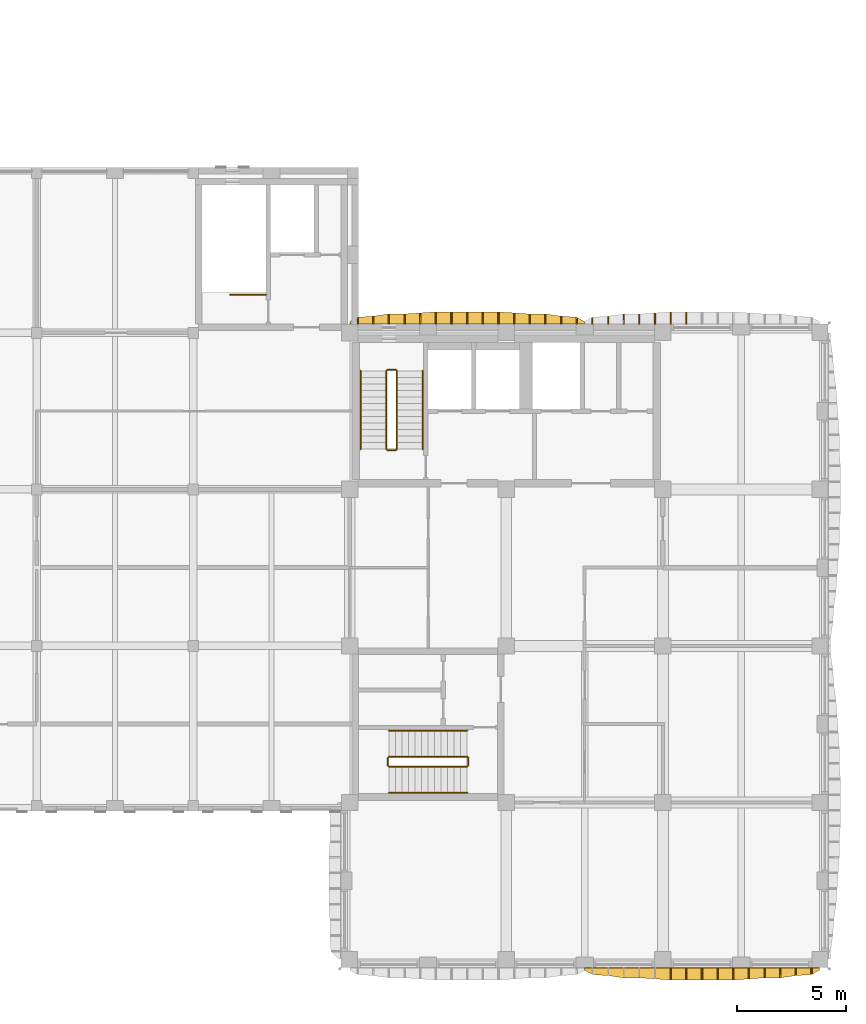
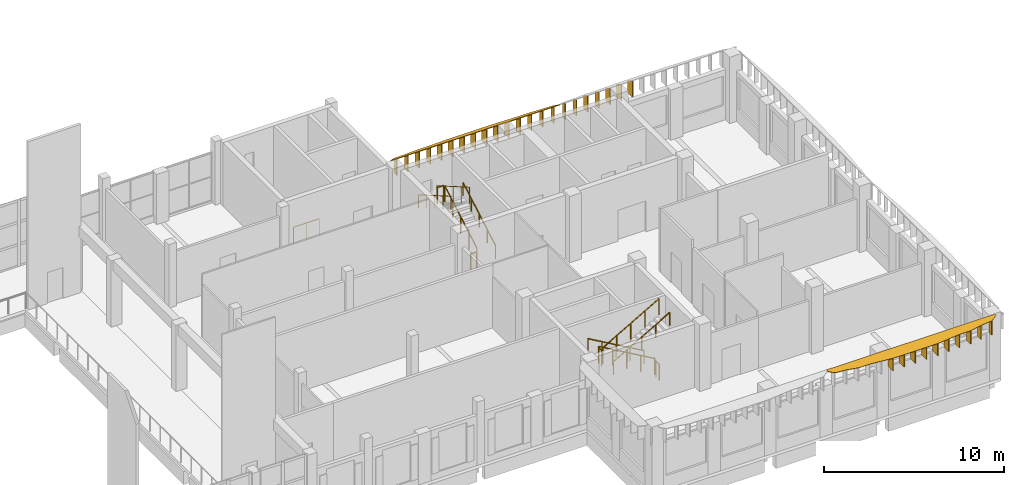
# One storey, part 33 of 54: 34 shading devices, 13 railings.
"""IFC4 building model written with IfcOpenShell, lengths in metres."""

from ifc_helpers import new_model, si_unit, direction, frame, origin, origin_2d, place, context, subcontext, project, spatial, polyline, circle, outline, extrude, material, layer, layer_set, type_object, element, save


model = new_model("IFC4")

# Units and contexts
model_context = context("Model", 3, precision=1e-05, world=origin(), true_north=direction((0.0, 1.0)))
body_context = subcontext(model_context, "Body", "Model", "MODEL_VIEW")
ifc_project = project(units=[si_unit("LENGTHUNIT", "METRE"), si_unit("AREAUNIT", "SQUARE_METRE"), si_unit("VOLUMEUNIT", "CUBIC_METRE"), si_unit("PLANEANGLEUNIT", "RADIAN"), si_unit("MASSUNIT", "GRAM", prefix="KILO")], contexts=[model_context])

# Site, building, storey
site_placement = place(None, origin())
site = spatial("IfcSite", under=ifc_project, at=site_placement, CompositionType="ELEMENT")
building_placement = place(site_placement, origin())
building = spatial("IfcBuilding", under=site, at=building_placement, Name="Ussher Court Research Institute", CompositionType="ELEMENT")
storey_placement = place(building_placement, frame((0.0, 0.0, 14.39990234375)))
storey = spatial("IfcBuildingStorey", under=building, at=storey_placement, Name="L03", CompositionType="ELEMENT", Elevation=14.39990234375)

# Shading devices
ifc_material_1 = material(Name="Bronze anodised aluminium", Category="aluminium")
ifc_layer_1 = layer(ifc_material_1, 0.050048828125)
ifc_layer_set_1 = layer_set([ifc_layer_1], Name="Bronze anodised aluminium")
shading_device_type_1 = type_object("IfcShadingDeviceType", Name="Brim blade 300 mm deep 1100 mm high canted 26 deg wet", PredefinedType="USERDEFINED", material=ifc_layer_set_1)
for number, where, z_axis, x_axis, name in (
    (1, (82.56005859375, 33.199951171875, 3.35009765625), (0.0, 0.0, 1.0), (0.0, 1.0, 0.0), "Brim blade BS06 L03"),
    (2, (92.639892578125, 33.199951171875, 3.35009765625), (0.0, 0.0, 1.0), (0.0, 1.0, 0.0), "Brim blade BS06 L03"),
    (3, (93.360107421875, 33.199951171875, 3.35009765625), (0.0, 0.0, 1.0), (0.0, 1.0, 0.0), "Brim blade BS06 L03"),
    (4, (103.43994140625, 3.60009765625, 3.35009765625), (0.0, 0.0, 1.0), (0.0, -1.0, 0.0), "Brim blade BS06 L03"),
):
    element("IfcShadingDevice", number, at=place(storey_placement, frame(where, z_axis=z_axis, x_axis=x_axis)), inside=storey, type_object=shading_device_type_1, Name=name, ObjectType="BLADE", PredefinedType="USERDEFINED", context=body_context, shape_type="SweptSolid", body=[
        extrude(outline(polyline([(0.0, 0.0), (0.300048828125, 0.0), (0.300048828125, 0.95361328125), (0.0, 1.10009765625), (0.0, 0.0)])), frame((0.0, 0.02490234375, 0.0), z_axis=(0.0, -1.0, 0.0), x_axis=(1.0, 0.0, 0.0)), (0.0, 0.0, 1.0), 0.050048828125),
    ])
ifc_material_2 = material(Name="Bronze anodised aluminium", Category="aluminium")
ifc_layer_2 = layer(ifc_material_2, 0.050048828125)
ifc_layer_set_2 = layer_set([ifc_layer_2], Name="Bronze anodised aluminium")
shading_device_type_2 = type_object("IfcShadingDeviceType", Name="Brim blade 350 mm deep 1100 mm high canted 26 deg wet", PredefinedType="USERDEFINED", material=ifc_layer_set_2)
for number, where, z_axis, x_axis, name in (
    (5, (83.280029296875, 33.199951171875, 3.35009765625), (0.0, 0.0, 1.0), (0.0, 1.0, 0.0), "Brim blade BS05 L03"),
    (6, (91.919921875, 33.199951171875, 3.35009765625), (0.0, 0.0, 1.0), (0.0, 1.0, 0.0), "Brim blade BS05 L03"),
    (7, (94.080078125, 33.199951171875, 3.35009765625), (0.0, 0.0, 1.0), (0.0, 1.0, 0.0), "Brim blade BS05 L03"),
    (8, (102.719970703125, 3.60009765625, 3.35009765625), (0.0, 0.0, 1.0), (0.0, -1.0, 0.0), "Brim blade BS05 L03"),
):
    element("IfcShadingDevice", number, at=place(storey_placement, frame(where, z_axis=z_axis, x_axis=x_axis)), inside=storey, type_object=shading_device_type_2, Name=name, ObjectType="BLADE", PredefinedType="USERDEFINED", context=body_context, shape_type="SweptSolid", body=[
        extrude(outline(polyline([(0.0, 0.0), (0.35009765625, 0.0), (0.35009765625, 0.92919921875), (0.0, 1.10009765625), (0.0, 0.0)])), frame((0.0, 0.02490234375, 0.0), z_axis=(0.0, -1.0, 0.0), x_axis=(1.0, 0.0, 0.0)), (0.0, 0.0, 1.0), 0.050048828125),
    ])
ifc_material_3 = material(Name="Bronze anodised aluminium", Category="aluminium")
ifc_layer_3 = layer(ifc_material_3, 0.050048828125)
ifc_layer_set_3 = layer_set([ifc_layer_3], Name="Bronze anodised aluminium")
shading_device_type_3 = type_object("IfcShadingDeviceType", Name="Brim blade 450 mm deep 1100 mm high canted 26 deg wet", PredefinedType="USERDEFINED", material=ifc_layer_set_3)
for number, where, z_axis, x_axis, name in (
    (9, (84.0, 33.199951171875, 3.35009765625), (0.0, 0.0, 1.0), (0.0, 1.0, 0.0), "Brim blade BS03 L03"),
    (10, (84.719970703125, 33.199951171875, 3.35009765625), (0.0, 0.0, 1.0), (0.0, 1.0, 0.0), "Brim blade BS03 L03"),
    (11, (90.47998046875, 33.199951171875, 3.35009765625), (0.0, 0.0, 1.0), (0.0, 1.0, 0.0), "Brim blade BS03 L03"),
    (12, (91.199951171875, 33.199951171875, 3.35009765625), (0.0, 0.0, 1.0), (0.0, 1.0, 0.0), "Brim blade BS03 L03"),
    (13, (94.800048828125, 33.199951171875, 3.35009765625), (0.0, 0.0, 1.0), (0.0, 1.0, 0.0), "Brim blade BS03 L03"),
    (14, (95.52001953125, 33.199951171875, 3.35009765625), (0.0, 0.0, 1.0), (0.0, 1.0, 0.0), "Brim blade BS03 L03"),
):
    element("IfcShadingDevice", number, at=place(storey_placement, frame(where, z_axis=z_axis, x_axis=x_axis)), inside=storey, type_object=shading_device_type_3, Name=name, ObjectType="BLADE", PredefinedType="USERDEFINED", context=body_context, shape_type="SweptSolid", body=[
        extrude(outline(polyline([(0.0, 0.0), (0.449951171875, 0.0), (0.449951171875, 0.880615234375), (0.0, 1.10009765625), (0.0, 0.0)])), frame((0.0, 0.02490234375, 0.0), z_axis=(0.0, -1.0, 0.0), x_axis=(1.0, 0.0, 0.0)), (0.0, 0.0, 1.0), 0.050048828125),
    ])
for number, where, z_axis, x_axis, name in (
    (15, (102.0, 3.60009765625, 3.35009765625), (0.0, 0.0, 1.0), (0.0, -1.0, 0.0), "Brim blade BS03 L03"),
    (16, (101.280029296875, 3.60009765625, 3.35009765625), (0.0, 0.0, 1.0), (0.0, -1.0, 0.0), "Brim blade BS03 L03"),
):
    element("IfcShadingDevice", number, at=place(storey_placement, frame(where, z_axis=z_axis, x_axis=x_axis)), inside=storey, type_object=shading_device_type_3, Name=name, ObjectType="BLADE", PredefinedType="USERDEFINED", context=body_context, shape_type="SweptSolid", body=[
        extrude(outline(polyline([(0.0, 0.0), (0.4501953125, 0.0), (0.449951171875, 0.880615234375), (0.0, 1.10009765625), (0.0, 0.0)])), frame((0.0, 0.02490234375, 0.0), z_axis=(0.0, -1.0, 0.0), x_axis=(1.0, 0.0, 0.0)), (0.0, 0.0, 1.0), 0.050048828125),
    ])
ifc_material_4 = material(Name="Bronze anodised aluminium", Category="aluminium")
ifc_layer_4 = layer(ifc_material_4, 0.050048828125)
ifc_layer_set_4 = layer_set([ifc_layer_4], Name="Bronze anodised aluminium")
shading_device_type_4 = type_object("IfcShadingDeviceType", Name="Brim blade 500 mm deep 1100 mm high canted 26 deg wet", PredefinedType="USERDEFINED", material=ifc_layer_set_4)
for number, where, z_axis, x_axis, name in (
    (17, (85.43994140625, 33.199951171875, 3.35009765625), (0.0, 0.0, 1.0), (0.0, 1.0, 0.0), "Brim blade BS02 L03"),
    (18, (89.760009765625, 33.199951171875, 3.35009765625), (0.0, 0.0, 1.0), (0.0, 1.0, 0.0), "Brim blade BS02 L03"),
    (19, (96.239990234375, 33.199951171875, 3.35009765625), (0.0, 0.0, 1.0), (0.0, 1.0, 0.0), "Brim blade BS02 L03"),
    (20, (100.56005859375, 3.60009765625, 3.35009765625), (0.0, 0.0, 1.0), (0.0, -1.0, 0.0), "Brim blade BS02 L03"),
):
    element("IfcShadingDevice", number, at=place(storey_placement, frame(where, z_axis=z_axis, x_axis=x_axis)), inside=storey, type_object=shading_device_type_4, Name=name, ObjectType="BLADE", PredefinedType="USERDEFINED", context=body_context, shape_type="SweptSolid", body=[
        extrude(outline(polyline([(0.0, 0.0), (0.5, 0.0), (0.5, 0.856201171875), (0.0, 1.10009765625), (0.0, 0.0)])), frame((0.0, 0.02490234375, 0.0), z_axis=(0.0, -1.0, 0.0), x_axis=(1.0, 0.0, 0.0)), (0.0, 0.0, 1.0), 0.050048828125),
    ])
ifc_material_5 = material(Name="Bronze anodised aluminium", Category="aluminium")
ifc_layer_5 = layer(ifc_material_5, 0.050048828125)
ifc_layer_set_5 = layer_set([ifc_layer_5], Name="Bronze anodised aluminium")
shading_device_type_5 = type_object("IfcShadingDeviceType", Name="Brim blade 550 mm deep 1100 mm high canted 26 deg wet", PredefinedType="USERDEFINED", material=ifc_layer_set_5)
for number, where, z_axis, x_axis, name in (
    (21, (86.159912109375, 33.199951171875, 3.35009765625), (0.0, 0.0, 1.0), (0.0, 1.0, 0.0), "Brim blade BS01 L03"),
    (22, (86.8798828125, 33.199951171875, 3.35009765625), (0.0, 0.0, 1.0), (0.0, 1.0, 0.0), "Brim blade BS01 L03"),
    (23, (87.60009765625, 33.199951171875, 3.35009765625), (0.0, 0.0, 1.0), (0.0, 1.0, 0.0), "Brim blade BS01 L03"),
    (24, (88.320068359375, 33.199951171875, 3.35009765625), (0.0, 0.0, 1.0), (0.0, 1.0, 0.0), "Brim blade BS01 L03"),
    (25, (89.0400390625, 33.199951171875, 3.35009765625), (0.0, 0.0, 1.0), (0.0, 1.0, 0.0), "Brim blade BS01 L03"),
    (26, (96.9599609375, 33.199951171875, 3.35009765625), (0.0, 0.0, 1.0), (0.0, 1.0, 0.0), "Brim blade BS01 L03"),
    (27, (97.679931640625, 33.199951171875, 3.35009765625), (0.0, 0.0, 1.0), (0.0, 1.0, 0.0), "Brim blade BS01 L03"),
    (28, (99.840087890625, 3.60009765625, 3.35009765625), (0.0, 0.0, 1.0), (0.0, -1.0, 0.0), "Brim blade BS01 L03"),
    (29, (99.1201171875, 3.60009765625, 3.35009765625), (0.0, 0.0, 1.0), (0.0, -1.0, 0.0), "Brim blade BS01 L03"),
    (30, (98.39990234375, 3.60009765625, 3.35009765625), (0.0, 0.0, 1.0), (0.0, -1.0, 0.0), "Brim blade BS01 L03"),
    (31, (97.679931640625, 3.60009765625, 3.35009765625), (0.0, 0.0, 1.0), (0.0, -1.0, 0.0), "Brim blade BS01 L03"),
    (32, (96.9599609375, 3.60009765625, 3.35009765625), (0.0, 0.0, 1.0), (0.0, -1.0, 0.0), "Brim blade BS01 L03"),
):
    element("IfcShadingDevice", number, at=place(storey_placement, frame(where, z_axis=z_axis, x_axis=x_axis)), inside=storey, type_object=shading_device_type_5, Name=name, ObjectType="BLADE", PredefinedType="USERDEFINED", context=body_context, shape_type="SweptSolid", body=[
        extrude(outline(polyline([(0.0, 0.0), (0.550048828125, 0.0), (0.550048828125, 0.831787109375), (0.0, 1.10009765625), (0.0, 0.0)])), frame((0.0, 0.02490234375, 0.0), z_axis=(0.0, -1.0, 0.0), x_axis=(1.0, 0.0, 0.0)), (0.0, 0.0, 1.0), 0.050048828125),
    ])
ifc_material_6 = material(Name="Bronze anodised aluminium", Category="aluminium")
ifc_layer_6 = layer(ifc_material_6, 0.0400390625)
ifc_layer_set_6 = layer_set([ifc_layer_6], Name="Bronze anodised aluminium")
shading_device_type_6 = type_object("IfcShadingDeviceType", Name="Brim visor sheet 40 mm canted 26 deg wet", PredefinedType="USERDEFINED", material=ifc_layer_set_6)
shading_device_1_placement = place(storey_placement, frame((82.199951171875, 33.217529296875, 4.486083984375), z_axis=(0.0, 0.438493442835, 0.898734388232), x_axis=(1.0, 0.0, 0.0)))
element("IfcShadingDevice", 33, at=shading_device_1_placement, inside=storey, type_object=shading_device_type_6, Name="Brim visor sheet BR1 L03", ObjectType="BRIM", PredefinedType="USERDEFINED", context=body_context, shape_type="SweptSolid", body=[
    extrude(outline(polyline([(0.0, 0.0), (10.800048828125, 0.0), (10.800048828125, 0.11115260091647443), (10.43994140625, 0.3338966378999272), (9.719970703125, 0.3893632295705384), (9.0, 0.5006281939990725), (8.280029296875, 0.5006281939990725), (7.56005859375, 0.5563142032449357), (6.840087890625, 0.612000212490799), (6.1201171875, 0.612000212490799), (5.400146484375, 0.612000212490799), (4.679931640625, 0.612000212490799), (3.9599609375, 0.612000212490799), (3.239990234375, 0.5563142032449357), (2.52001953125, 0.5006281939990725), (1.800048828125, 0.5006281939990725), (1.080078125, 0.3893632295705384), (0.360107421875, 0.3338966378999272), (0.0, 0.11115260091647443), (0.0, 0.0)])), origin(), (0.0, 0.0, -1.0), 0.0400390625),
])
shading_device_2_placement = place(storey_placement, frame((103.800048828125, 3.58251953125, 4.486083984375), z_axis=(0.0, -0.438461416816, 0.898750013054), x_axis=(-1.0, 0.0, 0.0)))
element("IfcShadingDevice", 34, at=shading_device_2_placement, inside=storey, type_object=shading_device_type_6, Name="Brim visor sheet BR1 L03", ObjectType="BRIM", PredefinedType="USERDEFINED", context=body_context, shape_type="SweptSolid", body=[
    extrude(outline(polyline([(0.0, 0.0), (10.800048828125, 0.0), (10.800048828125, 0.1113720187292832), (10.43994140625, 0.33389663479794396), (9.719970703125, 0.38958264416258553), (9.0, 0.5006281952576233), (8.280029296875, 0.5006281952576233), (7.56005859375, 0.5563142046222649), (6.840087890625, 0.6120002139869065), (6.1201171875, 0.6120002139869065), (5.400146484375, 0.6120002139869065), (4.679931640625, 0.6120002139869065), (3.9599609375, 0.6120002139869065), (3.239990234375, 0.5563142046222649), (2.52001953125, 0.5006281952576233), (1.800048828125, 0.5006281952576233), (1.080078125, 0.38958264416258553), (0.360107421875, 0.33389663479794396), (0.0, 0.1113720187292832), (0.0, 0.0)])), origin(), (0.0, 0.0, -1.0), 0.0400390625),
])

# Railings
ifc_material_7 = material(Name="Painted steel balustrade", Category="steel")
railing_type_1 = type_object("IfcRailingType", Name="Stair guard 1100 steel balustrade", PredefinedType="GUARDRAIL", material=ifc_material_7)
railing_1_placement = place(storey_placement, frame((78.35009765625, 34.550048828125, 0.0)))
element("IfcRailing", 35, at=railing_1_placement, inside=storey, type_object=railing_type_1, Name="L03 E1 top well guard 1", PredefinedType="GUARDRAIL", context=body_context, shape_type="SweptSolid", body=[
    extrude(circle(Radius=0.02392578125, at=origin_2d()), frame((0.0, 0.0, 1.076171875), z_axis=(-1.0, 0.0, 0.0), x_axis=(0.0, -1.0, 0.0)), (0.0, 0.0, 1.0), 1.650146484375),
    extrude(circle(Radius=0.02099609375, at=origin_2d()), origin(), (0.0, 0.0, 1.0), 1.052001953125),
    extrude(circle(Radius=0.02099609375, at=origin_2d()), frame((-0.8251953125, 0.0, 0.0)), (0.0, 0.0, 1.0), 1.052001953125),
    extrude(circle(Radius=0.02099609375, at=origin_2d()), frame((-1.650146484375, 0.0, 0.0)), (0.0, 0.0, 1.0), 1.052001953125),
])
railing_2_placement = place(storey_placement, frame((84.3701171875, 27.449951171875, 0.173095703125)))
element("IfcRailing", 36, at=railing_2_placement, inside=storey, type_object=railing_type_1, Name="L03 T1 stair guard 1", PredefinedType="GUARDRAIL", context=body_context, shape_type="SweptSolid", body=[
    extrude(circle(Radius=0.02392578125, at=origin_2d()), frame((0.0, 0.0, 1.076171875), z_axis=(0.0, 0.866193409371, 0.499708892819), x_axis=(-1.0, 0.0, 0.0)), (0.0, 0.0, 1.0), 4.15625),
    extrude(circle(Radius=0.02099609375, at=origin_2d()), origin(), (0.0, 0.0, 1.0), 1.052001953125),
    extrude(circle(Radius=0.02099609375, at=origin_2d()), frame((0.0, 0.89990234375, 0.519287109375)), (0.0, 0.0, 1.0), 1.052001953125),
    extrude(circle(Radius=0.02099609375, at=origin_2d()), frame((0.0, 1.800048828125, 1.03857421875)), (0.0, 0.0, 1.0), 1.052001953125),
    extrude(circle(Radius=0.02099609375, at=origin_2d()), frame((0.0, 2.7001953125, 1.5576171875)), (0.0, 0.0, 1.0), 1.052001953125),
    extrude(circle(Radius=0.02099609375, at=origin_2d()), frame((0.0, 3.60009765625, 2.076904296875)), (0.0, 0.0, 1.0), 1.052001953125),
])
railing_3_placement = place(storey_placement, frame((84.320068359375, 31.10009765625, 2.25)))
element("IfcRailing", 37, at=railing_3_placement, inside=storey, type_object=railing_type_1, Name="L03 T1 stair guard 2", PredefinedType="GUARDRAIL", context=body_context, shape_type="SweptSolid", body=[
    extrude(circle(Radius=0.02392578125, at=origin_2d()), frame((0.0, 0.0, 1.076171875), z_axis=(-1.0, 0.0, 0.0), x_axis=(0.0, -1.0, 0.0)), (0.0, 0.0, 1.0), 0.39013671875),
    extrude(circle(Radius=0.02099609375, at=origin_2d()), origin(), (0.0, 0.0, 1.0), 1.052001953125),
    extrude(circle(Radius=0.02099609375, at=origin_2d()), frame((-0.39013671875, 0.0, 0.0)), (0.0, 0.0, 1.0), 1.052001953125),
])
railing_4_placement = place(storey_placement, frame((83.8798828125, 31.050048828125, 2.423095703125)))
element("IfcRailing", 38, at=railing_4_placement, inside=storey, type_object=railing_type_1, Name="L03 T1 stair guard 3", PredefinedType="GUARDRAIL", context=body_context, shape_type="SweptSolid", body=[
    extrude(circle(Radius=0.02392578125, at=origin_2d()), frame((0.0, 0.0, 1.076171875), z_axis=(0.0, -0.866193409371, 0.499708892819), x_axis=(1.0, 0.0, 0.0)), (0.0, 0.0, 1.0), 4.15625),
    extrude(circle(Radius=0.02099609375, at=origin_2d()), origin(), (0.0, 0.0, 1.0), 1.052001953125),
    extrude(circle(Radius=0.02099609375, at=origin_2d()), frame((0.0, -0.89990234375, 0.519287109375)), (0.0, 0.0, 1.0), 1.052001953125),
    extrude(circle(Radius=0.02099609375, at=origin_2d()), frame((0.0, -1.800048828125, 1.03857421875)), (0.0, 0.0, 1.0), 1.052001953125),
    extrude(circle(Radius=0.02099609375, at=origin_2d()), frame((0.0, -2.7001953125, 1.5576171875)), (0.0, 0.0, 1.0), 1.052001953125),
    extrude(circle(Radius=0.02099609375, at=origin_2d()), frame((0.0, -3.60009765625, 2.076904296875)), (0.0, 0.0, 1.0), 1.052001953125),
])
railing_5_placement = place(storey_placement, frame((84.320068359375, 27.39990234375, 0.0)))
element("IfcRailing", 39, at=railing_5_placement, inside=storey, type_object=railing_type_1, Name="L03 T1 stair guard 4", PredefinedType="GUARDRAIL", context=body_context, shape_type="SweptSolid", body=[
    extrude(circle(Radius=0.02392578125, at=origin_2d()), frame((0.0, 0.0, 1.076171875), z_axis=(-1.0, 0.0, 0.0), x_axis=(0.0, -1.0, 0.0)), (0.0, 0.0, 1.0), 0.39013671875),
    extrude(circle(Radius=0.02099609375, at=origin_2d()), origin(), (0.0, 0.0, 1.0), 1.052001953125),
    extrude(circle(Radius=0.02099609375, at=origin_2d()), frame((-0.39013671875, 0.0, 0.0)), (0.0, 0.0, 1.0), 1.052001953125),
])
railing_6_placement = place(storey_placement, frame((87.60009765625, 13.300048828125, 0.173095703125)))
element("IfcRailing", 40, at=railing_6_placement, inside=storey, type_object=railing_type_1, Name="L03 T2 stair guard 1", PredefinedType="GUARDRAIL", context=body_context, shape_type="SweptSolid", body=[
    extrude(circle(Radius=0.02392578125, at=origin_2d()), frame((0.0, 0.0, 1.076171875), z_axis=(-0.866193409371, 0.0, 0.499708892819), x_axis=(0.0, -1.0, 0.0)), (0.0, 0.0, 1.0), 4.15625),
    extrude(circle(Radius=0.02099609375, at=origin_2d()), origin(), (0.0, 0.0, 1.0), 1.052001953125),
    extrude(circle(Radius=0.02099609375, at=origin_2d()), frame((-0.89990234375, 0.0, 0.519287109375)), (0.0, 0.0, 1.0), 1.052001953125),
    extrude(circle(Radius=0.02099609375, at=origin_2d()), frame((-1.800048828125, 0.0, 1.03857421875)), (0.0, 0.0, 1.0), 1.052001953125),
    extrude(circle(Radius=0.02099609375, at=origin_2d()), frame((-2.7001953125, 0.0, 1.5576171875)), (0.0, 0.0, 1.0), 1.052001953125),
    extrude(circle(Radius=0.02099609375, at=origin_2d()), frame((-3.60009765625, 0.0, 2.076904296875)), (0.0, 0.0, 1.0), 1.052001953125),
])
railing_7_placement = place(storey_placement, frame((83.949951171875, 13.25, 2.25)))
element("IfcRailing", 41, at=railing_7_placement, inside=storey, type_object=railing_type_1, Name="L03 T2 stair guard 2", PredefinedType="GUARDRAIL", context=body_context, shape_type="SweptSolid", body=[
    extrude(circle(Radius=0.02392578125, at=origin_2d()), frame((0.0, 0.0, 1.076171875), z_axis=(0.0, -1.0, 0.0), x_axis=(1.0, 0.0, 0.0)), (0.0, 0.0, 1.0), 0.35009765625),
    extrude(circle(Radius=0.02099609375, at=origin_2d()), origin(), (0.0, 0.0, 1.0), 1.052001953125),
    extrude(circle(Radius=0.02099609375, at=origin_2d()), frame((0.0, -0.35009765625, 0.0)), (0.0, 0.0, 1.0), 1.052001953125),
])
railing_8_placement = place(storey_placement, frame((84.0, 12.85009765625, 2.423095703125)))
element("IfcRailing", 42, at=railing_8_placement, inside=storey, type_object=railing_type_1, Name="L03 T2 stair guard 3", PredefinedType="GUARDRAIL", context=body_context, shape_type="SweptSolid", body=[
    extrude(circle(Radius=0.02392578125, at=origin_2d()), frame((0.0, 0.0, 1.076171875), z_axis=(0.866193409371, 0.0, 0.499708892819), x_axis=(0.0, 1.0, 0.0)), (0.0, 0.0, 1.0), 4.15625),
    extrude(circle(Radius=0.02099609375, at=origin_2d()), origin(), (0.0, 0.0, 1.0), 1.052001953125),
    extrude(circle(Radius=0.02099609375, at=origin_2d()), frame((0.89990234375, 0.0, 0.519287109375)), (0.0, 0.0, 1.0), 1.052001953125),
    extrude(circle(Radius=0.02099609375, at=origin_2d()), frame((1.800048828125, 0.0, 1.03857421875)), (0.0, 0.0, 1.0), 1.052001953125),
    extrude(circle(Radius=0.02099609375, at=origin_2d()), frame((2.7001953125, 0.0, 1.5576171875)), (0.0, 0.0, 1.0), 1.052001953125),
    extrude(circle(Radius=0.02099609375, at=origin_2d()), frame((3.60009765625, 0.0, 2.076904296875)), (0.0, 0.0, 1.0), 1.052001953125),
])
railing_9_placement = place(storey_placement, frame((87.64990234375, 13.25, 0.0)))
element("IfcRailing", 43, at=railing_9_placement, inside=storey, type_object=railing_type_1, Name="L03 T2 stair guard 4", PredefinedType="GUARDRAIL", context=body_context, shape_type="SweptSolid", body=[
    extrude(circle(Radius=0.02392578125, at=origin_2d()), frame((0.0, 0.0, 1.076171875), z_axis=(0.0, -1.0, 0.0), x_axis=(1.0, 0.0, 0.0)), (0.0, 0.0, 1.0), 0.35009765625),
    extrude(circle(Radius=0.02099609375, at=origin_2d()), origin(), (0.0, 0.0, 1.0), 1.052001953125),
    extrude(circle(Radius=0.02099609375, at=origin_2d()), frame((0.0, -0.35009765625, 0.0)), (0.0, 0.0, 1.0), 1.052001953125),
])
ifc_material_8 = material(Name="Painted steel handrail", Category="steel")
railing_type_2 = type_object("IfcRailingType", Name="Stair handrail 900 steel", PredefinedType="HANDRAIL", material=ifc_material_8)
railing_10_placement = place(storey_placement, frame((85.550048828125, 27.449951171875, 0.173095703125)))
element("IfcRailing", 44, at=railing_10_placement, inside=storey, type_object=railing_type_2, Name="L03 T1 stair handrail 1", PredefinedType="HANDRAIL", context=body_context, shape_type="SweptSolid", body=[
    extrude(circle(Radius=0.02392578125, at=origin_2d()), frame((0.0, 0.0, 0.8759765625), z_axis=(0.0, 0.866193409371, 0.499708892819), x_axis=(-1.0, 0.0, 0.0)), (0.0, 0.0, 1.0), 4.15625),
    extrude(circle(Radius=0.02099609375, at=origin_2d()), origin(), (0.0, 0.0, 1.0), 0.851806640625),
    extrude(circle(Radius=0.02099609375, at=origin_2d()), frame((0.0, 0.89990234375, 0.519287109375)), (0.0, 0.0, 1.0), 0.851806640625),
    extrude(circle(Radius=0.02099609375, at=origin_2d()), frame((0.0, 1.800048828125, 1.03857421875)), (0.0, 0.0, 1.0), 0.851806640625),
    extrude(circle(Radius=0.02099609375, at=origin_2d()), frame((0.0, 2.7001953125, 1.5576171875)), (0.0, 0.0, 1.0), 0.851806640625),
    extrude(circle(Radius=0.02099609375, at=origin_2d()), frame((0.0, 3.60009765625, 2.076904296875)), (0.0, 0.0, 1.0), 0.851806640625),
])
railing_11_placement = place(storey_placement, frame((82.699951171875, 31.050048828125, 2.423095703125)))
element("IfcRailing", 45, at=railing_11_placement, inside=storey, type_object=railing_type_2, Name="L03 T1 stair handrail 2", PredefinedType="HANDRAIL", context=body_context, shape_type="SweptSolid", body=[
    extrude(circle(Radius=0.02392578125, at=origin_2d()), frame((0.0, 0.0, 0.8759765625), z_axis=(0.0, -0.866193409371, 0.499708892819), x_axis=(1.0, 0.0, 0.0)), (0.0, 0.0, 1.0), 4.15625),
    extrude(circle(Radius=0.02099609375, at=origin_2d()), origin(), (0.0, 0.0, 1.0), 0.851806640625),
    extrude(circle(Radius=0.02099609375, at=origin_2d()), frame((0.0, -0.89990234375, 0.519287109375)), (0.0, 0.0, 1.0), 0.851806640625),
    extrude(circle(Radius=0.02099609375, at=origin_2d()), frame((0.0, -1.800048828125, 1.03857421875)), (0.0, 0.0, 1.0), 0.851806640625),
    extrude(circle(Radius=0.02099609375, at=origin_2d()), frame((0.0, -2.7001953125, 1.5576171875)), (0.0, 0.0, 1.0), 0.851806640625),
    extrude(circle(Radius=0.02099609375, at=origin_2d()), frame((0.0, -3.60009765625, 2.076904296875)), (0.0, 0.0, 1.0), 0.851806640625),
])
railing_12_placement = place(storey_placement, frame((87.60009765625, 14.5, 0.173095703125)))
element("IfcRailing", 46, at=railing_12_placement, inside=storey, type_object=railing_type_2, Name="L03 T2 stair handrail 1", PredefinedType="HANDRAIL", context=body_context, shape_type="SweptSolid", body=[
    extrude(circle(Radius=0.02392578125, at=origin_2d()), frame((0.0, 0.0, 0.8759765625), z_axis=(-0.866193409371, 0.0, 0.499708892819), x_axis=(0.0, -1.0, 0.0)), (0.0, 0.0, 1.0), 4.15625),
    extrude(circle(Radius=0.02099609375, at=origin_2d()), origin(), (0.0, 0.0, 1.0), 0.851806640625),
    extrude(circle(Radius=0.02099609375, at=origin_2d()), frame((-0.89990234375, 0.0, 0.519287109375)), (0.0, 0.0, 1.0), 0.851806640625),
    extrude(circle(Radius=0.02099609375, at=origin_2d()), frame((-1.800048828125, 0.0, 1.03857421875)), (0.0, 0.0, 1.0), 0.851806640625),
    extrude(circle(Radius=0.02099609375, at=origin_2d()), frame((-2.7001953125, 0.0, 1.5576171875)), (0.0, 0.0, 1.0), 0.851806640625),
    extrude(circle(Radius=0.02099609375, at=origin_2d()), frame((-3.60009765625, 0.0, 2.076904296875)), (0.0, 0.0, 1.0), 0.851806640625),
])
railing_13_placement = place(storey_placement, frame((84.0, 11.64990234375, 2.423095703125)))
element("IfcRailing", 47, at=railing_13_placement, inside=storey, type_object=railing_type_2, Name="L03 T2 stair handrail 2", PredefinedType="HANDRAIL", context=body_context, shape_type="SweptSolid", body=[
    extrude(circle(Radius=0.02392578125, at=origin_2d()), frame((0.0, 0.0, 0.8759765625), z_axis=(0.866193409371, 0.0, 0.499708892819), x_axis=(0.0, 1.0, 0.0)), (0.0, 0.0, 1.0), 4.15625),
    extrude(circle(Radius=0.02099609375, at=origin_2d()), origin(), (0.0, 0.0, 1.0), 0.851806640625),
    extrude(circle(Radius=0.02099609375, at=origin_2d()), frame((0.89990234375, 0.0, 0.519287109375)), (0.0, 0.0, 1.0), 0.851806640625),
    extrude(circle(Radius=0.02099609375, at=origin_2d()), frame((1.800048828125, 0.0, 1.03857421875)), (0.0, 0.0, 1.0), 0.851806640625),
    extrude(circle(Radius=0.02099609375, at=origin_2d()), frame((2.7001953125, 0.0, 1.5576171875)), (0.0, 0.0, 1.0), 0.851806640625),
    extrude(circle(Radius=0.02099609375, at=origin_2d()), frame((3.60009765625, 0.0, 2.076904296875)), (0.0, 0.0, 1.0), 0.851806640625),
])

save(model, "model.ifc")
